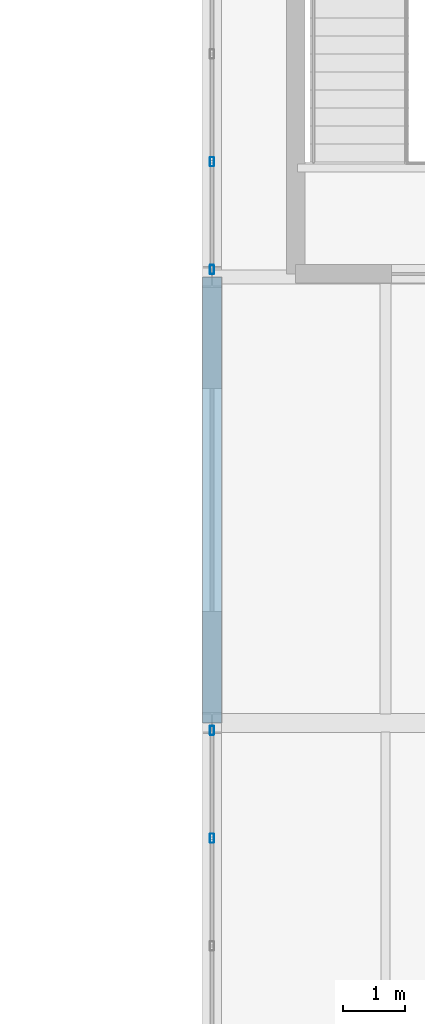
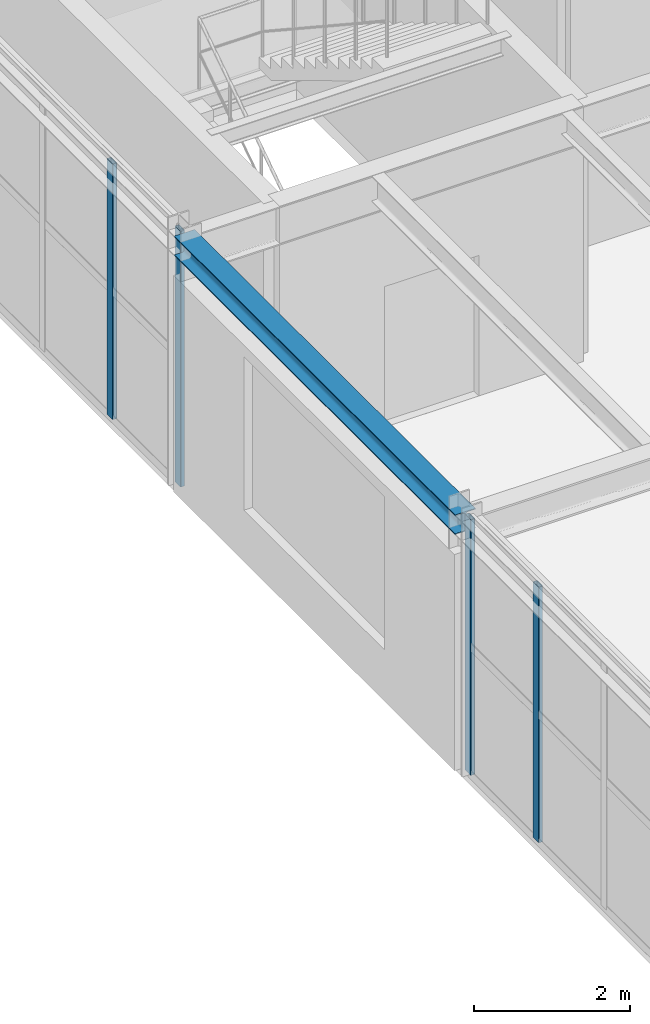
# One storey, part 36 of 73: 4 members, 1 beam, 2 elements without a shape of their own.
"""IFC4 building model written with IfcOpenShell, lengths in metres."""

from ifc_helpers import new_model, si_unit, derived_unit, direction, frame, origin, origin_2d, place, context, subcontext, project, spatial, hollow_rectangle, i_section, extrude, material, material_profile, profile_set, type_object, element, aggregate, save


model = new_model("IFC4")

# Units and contexts
model_context = context("Model", 3, precision=1e-05, world=origin(), true_north=direction((0.0, 1.0)))
body_context = subcontext(model_context, "Body", "Model", "MODEL_VIEW")
ifc_project = project(units=[si_unit("LENGTHUNIT", "METRE"), si_unit("AREAUNIT", "SQUARE_METRE"), si_unit("VOLUMEUNIT", "CUBIC_METRE"), si_unit("PLANEANGLEUNIT", "RADIAN"), si_unit("MASSUNIT", "GRAM", prefix="KILO"), derived_unit("THERMALTRANSMITTANCEUNIT", [(si_unit("MASSUNIT", "GRAM", prefix="KILO"), 1), (si_unit("TIMEUNIT", "SECOND"), -3), (si_unit("THERMODYNAMICTEMPERATUREUNIT", "KELVIN"), -1)])], contexts=[model_context])

# Site, building, storey
site_placement = place(None, origin())
site = spatial("IfcSite", under=ifc_project, at=site_placement, CompositionType="ELEMENT")
building_placement = place(site_placement, origin())
building = spatial("IfcBuilding", under=site, at=building_placement, Name="Kharveza Railside Sports Centre", CompositionType="ELEMENT")
storey_placement = place(building_placement, frame((0.0, 0.0, 8.699951171875)))
storey = spatial("IfcBuildingStorey", under=building, at=storey_placement, Name="L02", CompositionType="ELEMENT", Elevation=8.699951171875)

# Beam
ifc_material_1 = material(Name="Steel S355J2", Category="steel")
ifc_material_profile_1 = material_profile(ifc_material_1, i_section(OverallWidth=0.300048828125, OverallDepth=0.31005859375, WebThickness=0.009033203125, FlangeThickness=0.015380859375, FilletRadius=0.027099609375, at=origin_2d()), Name="HEA 320")
ifc_profile_set_1 = profile_set([ifc_material_profile_1], Name="Steel S355J2")
beam_type = type_object("IfcBeamType", Name="BM-S06", PredefinedType="BEAM", material=ifc_profile_set_1)
beam_placement = place(storey_placement, frame((142.800048828125, 50.39990234375, 3.844970703125), z_axis=(0.0, 1.0, 0.0), x_axis=(-1.0, 0.0, 0.0)))
element("IfcBeam", 1, at=beam_placement, inside=storey, type_object=beam_type, Name="BM-NS-L02-B14-X1428-Y504", PredefinedType="BEAM", context=body_context, shape_type="SweptSolid", body=[
    extrude(i_section(OverallWidth=0.300048828125, OverallDepth=0.31005859375, WebThickness=0.009033203125, FlangeThickness=0.015380859375, FilletRadius=0.027099609375, at=origin_2d()), origin(), (0.0, 0.0, 1.0), 7.2001953125),
])

# Curtain wall, members
ifc_material_2 = material(Name="Low-E solar-control laminated glass", Category="glass")
curtain_wall_type = type_object("IfcCurtainWallType", Name="CW-WG02", PredefinedType="NOTDEFINED", material=ifc_material_2)
curtain_wall_1_placement = place(storey_placement, origin())
curtain_wall_1 = element("IfcCurtainWall", 2, at=curtain_wall_1_placement, inside=storey, type_object=curtain_wall_type, Name="CW-WG-L02-CW-WG02-X1428-Y612", PredefinedType="NOTDEFINED")
ifc_material_3 = material(Name="Anodised aluminium 6063-T6", Category="aluminium")
ifc_material_profile_2 = material_profile(ifc_material_3, hollow_rectangle(XDim=0.06494140625, YDim=0.14990234375, WallThickness=0.0048828125, InnerFilletRadius=0.0048828125, OuterFilletRadius=0.010009765625, at=origin_2d()), Name="RHS 65x150x5.0")
ifc_profile_set_2 = profile_set([ifc_material_profile_2], Name="Anodised aluminium 6063-T6")
member_type = type_object("IfcMemberType", Name="CW-ML04", PredefinedType="MULLION", material=ifc_profile_set_2)
member_1_placement = place(storey_placement, frame((142.800048828125, 59.4599609375, 0.0), z_axis=(0.0, 0.0, 1.0), x_axis=(1.0, 0.0, 0.0)))
member_1 = element("IfcMember", 3, at=member_1_placement, type_object=member_type, Name="CW-WG-L02-CW-WG02-X1428-Y612-ML4", PredefinedType="MULLION", context=body_context, shape_type="SweptSolid", body=[
    extrude(hollow_rectangle(XDim=0.06494140625, YDim=0.14990234375, WallThickness=0.0048828125, InnerFilletRadius=0.0048828125, OuterFilletRadius=0.010009765625, at=origin_2d()), origin(), (0.0, 0.0, 1.0), 4.0),
])
member_2_placement = place(storey_placement, frame((142.800048828125, 57.719970703125, 0.0), z_axis=(0.0, 0.0, 1.0), x_axis=(1.0, 0.0, 0.0)))
member_2 = element("IfcMember", 4, at=member_2_placement, type_object=member_type, Name="CW-WG-L02-CW-WG02-X1428-Y612-ML5", PredefinedType="MULLION", context=body_context, shape_type="SweptSolid", body=[
    extrude(hollow_rectangle(XDim=0.06494140625, YDim=0.14990234375, WallThickness=0.0048828125, InnerFilletRadius=0.0048828125, OuterFilletRadius=0.010009765625, at=origin_2d()), origin(), (0.0, 0.0, 1.0), 4.0),
])
aggregate(curtain_wall_1, [member_1, member_2])

curtain_wall_2_placement = place(storey_placement, origin())
curtain_wall_2 = element("IfcCurtainWall", 5, at=curtain_wall_2_placement, inside=storey, type_object=curtain_wall_type, Name="CW-WG-L02-CW-WG02-X1428-Y468", PredefinedType="NOTDEFINED")
member_3_placement = place(storey_placement, frame((142.800048828125, 50.280029296875, 0.0), z_axis=(0.0, 0.0, 1.0), x_axis=(1.0, 0.0, 0.0)))
member_3 = element("IfcMember", 6, at=member_3_placement, type_object=member_type, Name="CW-WG-L02-CW-WG02-X1428-Y468-ML1", PredefinedType="MULLION", context=body_context, shape_type="SweptSolid", body=[
    extrude(hollow_rectangle(XDim=0.06494140625, YDim=0.14990234375, WallThickness=0.0048828125, InnerFilletRadius=0.0048828125, OuterFilletRadius=0.010009765625, at=origin_2d()), origin(), (0.0, 0.0, 1.0), 4.0),
])
member_4_placement = place(storey_placement, frame((142.800048828125, 48.5400390625, 0.0), z_axis=(0.0, 0.0, 1.0), x_axis=(1.0, 0.0, 0.0)))
member_4 = element("IfcMember", 7, at=member_4_placement, type_object=member_type, Name="CW-WG-L02-CW-WG02-X1428-Y468-ML2", PredefinedType="MULLION", context=body_context, shape_type="SweptSolid", body=[
    extrude(hollow_rectangle(XDim=0.06494140625, YDim=0.14990234375, WallThickness=0.0048828125, InnerFilletRadius=0.0048828125, OuterFilletRadius=0.010009765625, at=origin_2d()), origin(), (0.0, 0.0, 1.0), 4.0),
])
aggregate(curtain_wall_2, [member_3, member_4])

save(model, "model.ifc")
